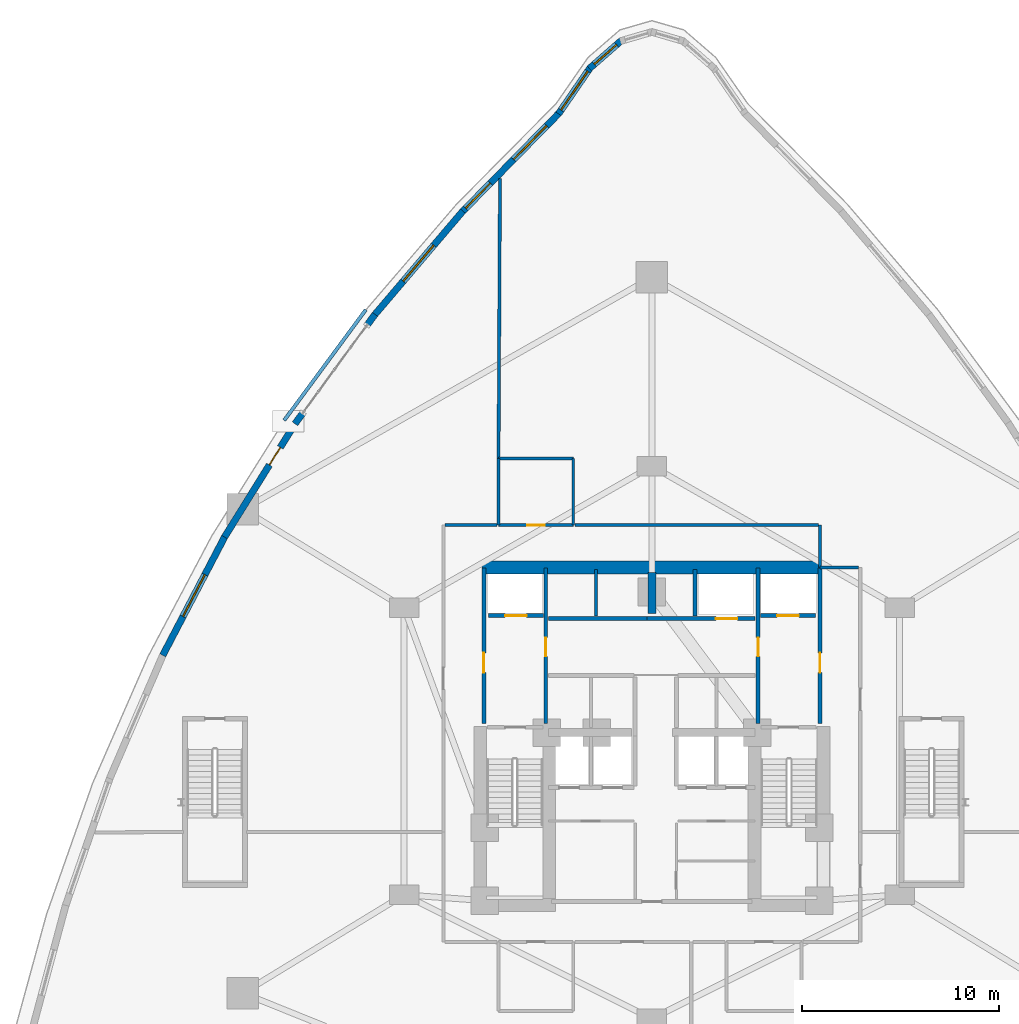
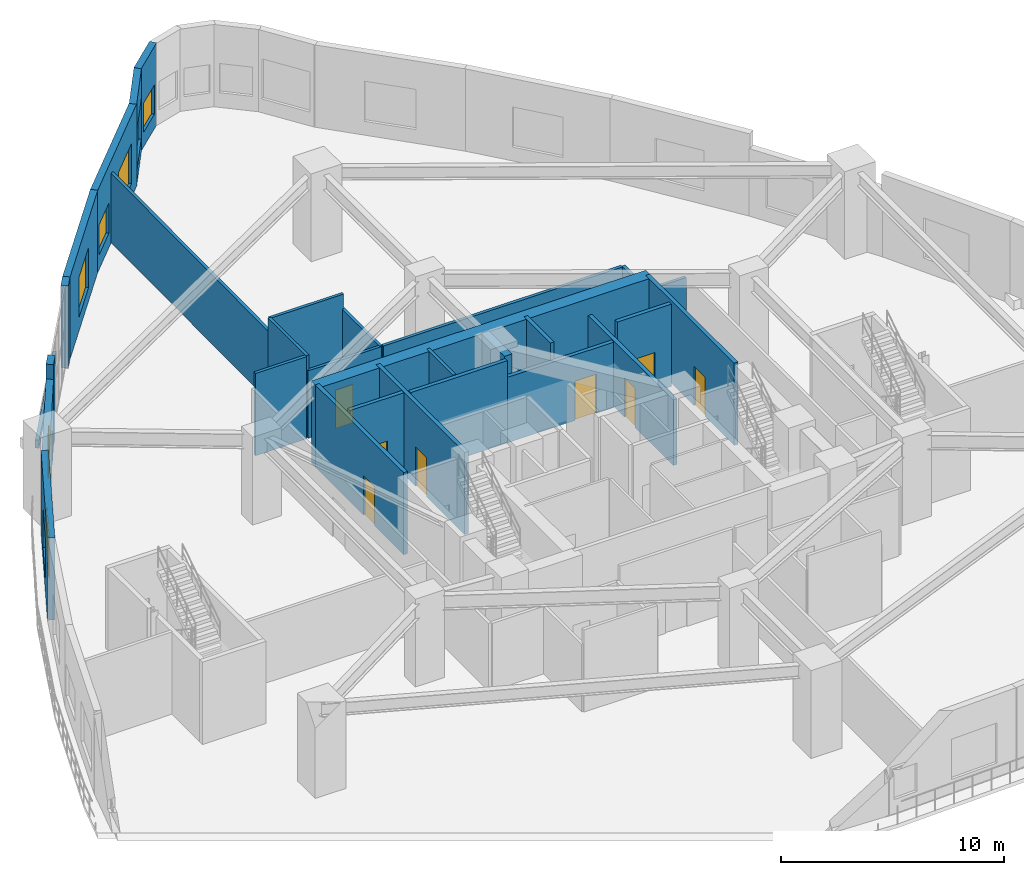
# One storey, part 17 of 23: 30 walls, 9 doors, 6 windows, 15 openings.
"""IFC4 building model written with IfcOpenShell, lengths in metres."""

from ifc_helpers import new_model, si_unit, direction, frame, frame_2d, origin, place, context, subcontext, project, spatial, rectangle, extrude, material, layer, layer_set, type_object, element, fill, save


model = new_model("IFC4")

# Units and contexts
model_context = context("Model", 3, precision=1e-05, world=origin(), true_north=direction((0.0, 1.0)))
body_context = subcontext(model_context, "Body", "Model", "MODEL_VIEW")
ifc_project = project(units=[si_unit("LENGTHUNIT", "METRE"), si_unit("AREAUNIT", "SQUARE_METRE"), si_unit("VOLUMEUNIT", "CUBIC_METRE"), si_unit("PLANEANGLEUNIT", "RADIAN"), si_unit("MASSUNIT", "GRAM", prefix="KILO")], contexts=[model_context])

# Site, building, storey
site_placement = place(None, origin())
site = spatial("IfcSite", under=ifc_project, at=site_placement, CompositionType="ELEMENT")
building_placement = place(site_placement, origin())
building = spatial("IfcBuilding", under=site, at=building_placement, Name="Miruveldt Soraemaru", CompositionType="ELEMENT")
storey_placement = place(building_placement, frame((0.0, 0.0, 14.39990234375)))
storey = spatial("IfcBuildingStorey", under=building, at=storey_placement, Name="L04", CompositionType="ELEMENT", Elevation=14.39990234375)

# Walls
ifc_material_1 = material(Name="Concrete C70/85 (70 MPa)", Category="concrete")
ifc_layer_1 = layer(ifc_material_1, 0.5, Name="Concrete C70/85 (70 MPa)", Category="concrete")
ifc_layer_set_1 = layer_set([ifc_layer_1], Name="Concrete C70/85 (70 MPa)")
wall_type_1 = type_object("IfcWallType", Name="WALL-BW-500", PredefinedType="SHEAR", material=ifc_layer_set_1)
wall_1_placement = place(storey_placement, frame((44.0, 50.10009765625, 0.0), z_axis=(0.0, 0.0, 1.0), x_axis=(0.0, 1.0, 0.0)))
element("IfcWall", 1, at=wall_1_placement, inside=storey, type_object=wall_type_1, Name="L04 Core Buttress Shear Wall BN", PredefinedType="SHEAR", context=body_context, shape_type="SweptSolid", body=[
    extrude(rectangle(XDim=2.099853515625, YDim=0.39990234375, at=frame_2d((1.0498046875, 0.0))), origin(), (0.0, 0.0, 1.0), 4.5),
])
ifc_material_2 = material(Name="Concrete C80/95 (80 MPa)", Category="concrete")
ifc_layer_2 = layer(ifc_material_2, 0.64990234375, Name="Concrete C80/95 (80 MPa)", Category="concrete")
ifc_layer_set_2 = layer_set([ifc_layer_2], Name="Concrete C80/95 (80 MPa)")
wall_type_2 = type_object("IfcWallType", Name="WALL-CW-650", PredefinedType="SHEAR", material=ifc_layer_set_2)
wall_2_placement = place(storey_placement, frame((35.35009765625, 52.449951171875, 0.0), z_axis=(0.0, 0.0, 1.0), x_axis=(1.0, 0.0, 0.0)))
element("IfcWall", 2, at=wall_2_placement, inside=storey, type_object=wall_type_2, Name="L04 Central Core Shear Wall N", PredefinedType="SHEAR", context=body_context, shape_type="SweptSolid", body=[
    extrude(rectangle(XDim=17.2998046875, YDim=0.64990234375, at=frame_2d((8.64990234375, 0.0))), origin(), (0.0, 0.0, 1.0), 4.5),
])

# Wall, opening, window
ifc_material_3 = material(Name="Precast concrete C45/55 (45 MPa)", Category="concrete")
ifc_layer_3 = layer(ifc_material_3, 0.340087890625, Name="Precast concrete C45/55 (45 MPa)", Category="concrete")
ifc_layer_set_3 = layer_set([ifc_layer_3], Name="Precast concrete C45/55 (45 MPa)")
wall_type_3 = type_object("IfcWallType", Name="WALL-EXT-PC340", PredefinedType="SOLIDWALL", material=ifc_layer_set_3)
wall_3_placement = place(storey_placement, frame((42.4501953125, 79.24755859375, 0.0), z_axis=(0.0, 0.0, 1.0), x_axis=(-0.752688498537, -0.658376810171, 0.0)))
wall_3 = element("IfcWall", 3, at=wall_3_placement, inside=storey, type_object=wall_type_3, Name="L04 Precast Concrete Facade Wall 5", PredefinedType="SOLIDWALL", context=body_context, shape_type="SweptSolid", body=[
    extrude(rectangle(XDim=2.1640625, YDim=0.340087890625, at=frame_2d((1.08203125, 0.0))), origin(), (0.0, 0.0, 1.0), 4.5),
])
opening_1_placement = place(wall_3_placement, frame((0.33203125, 0.0, 0.800048828125)))
opening_1 = element("IfcOpeningElement", 4, at=opening_1_placement, cuts=wall_3, Name="Opening WN-3", PredefinedType="OPENING", context=body_context, shape_type="SweptSolid", body=[
    extrude(rectangle(XDim=1.5, YDim=1.60009765625, at=frame_2d((0.75, 0.800048828125))), frame((0.0, 0.18017578125, 0.0), z_axis=(0.0, -1.0, 0.0), x_axis=(1.0, 0.0, 0.0)), (0.0, 0.0, 1.0), 0.360107421875),
])
ifc_material_4 = material(Name="Triple low-e insulated glazing", Category="glass")
window_type_1 = type_object("IfcWindowType", Name="WIN-PUNCH-1500x1600", PartitioningType="SINGLE_PANEL", PredefinedType="WINDOW", material=ifc_material_4)
window_1_placement = place(opening_1_placement, origin())
window_1 = element("IfcWindow", 5, at=window_1_placement, inside=storey, type_object=window_type_1, Name="L04 Punched Triple-Glazed Window 05.1", OverallHeight=1.60009765625, OverallWidth=1.5, PartitioningType="SINGLE_PANEL", PredefinedType="WINDOW", context=body_context, shape_type="SweptSolid", body=[
    extrude(rectangle(XDim=1.5, YDim=1.60009765625, at=frame_2d((0.75, 0.800048828125))), frame((0.0, 0.030029296875, 0.0), z_axis=(0.0, -1.0, 0.0), x_axis=(1.0, 0.0, 0.0)), (0.0, 0.0, 1.0), 0.06005859375),
])
fill(opening_1, window_1)

wall_4_placement = place(storey_placement, frame((40.867431640625, 77.874755859375, 0.0), z_axis=(0.0, 0.0, 1.0), x_axis=(-0.565657910094, -0.824639999484, 0.0)))
wall_4 = element("IfcWall", 6, at=wall_4_placement, inside=storey, type_object=wall_type_3, Name="L04 Precast Concrete Facade Wall 6", PredefinedType="SOLIDWALL", context=body_context, shape_type="SweptSolid", body=[
    extrude(rectangle(XDim=2.8564453125, YDim=0.340087890625, at=frame_2d((1.42822265625, 0.0))), origin(), (0.0, 0.0, 1.0), 4.5),
])
opening_2_placement = place(wall_4_placement, frame((0.22802734375, 0.0, 0.75)))
opening_2 = element("IfcOpeningElement", 7, at=opening_2_placement, cuts=wall_4, Name="Opening WN-5", PredefinedType="OPENING", context=body_context, shape_type="SweptSolid", body=[
    extrude(rectangle(XDim=2.39990234375, YDim=2.199951171875, at=frame_2d((1.199951171875, 1.10009765625))), frame((0.0, 0.18017578125, 0.0), z_axis=(0.0, -1.0, 0.0), x_axis=(1.0, 0.0, 0.0)), (0.0, 0.0, 1.0), 0.360107421875),
])
window_type_2 = type_object("IfcWindowType", Name="WIN-PODM-2400x2200", PartitioningType="SINGLE_PANEL", PredefinedType="WINDOW", material=ifc_material_4)
window_2_placement = place(opening_2_placement, origin())
window_2 = element("IfcWindow", 8, at=window_2_placement, inside=storey, type_object=window_type_2, Name="L04 Punched Triple-Glazed Window 06.1", OverallHeight=2.199951171875, OverallWidth=2.39990234375, PartitioningType="SINGLE_PANEL", PredefinedType="WINDOW", context=body_context, shape_type="SweptSolid", body=[
    extrude(rectangle(XDim=2.39990234375, YDim=2.199951171875, at=frame_2d((1.199951171875, 1.10009765625))), frame((0.0, 0.030029296875, 0.0), z_axis=(0.0, -1.0, 0.0), x_axis=(1.0, 0.0, 0.0)), (0.0, 0.0, 1.0), 0.06005859375),
])
fill(opening_2, window_2)

# Wall, openings, windows
wall_5_placement = place(storey_placement, frame((39.2958984375, 75.572998046875, 0.0), z_axis=(0.0, 0.0, 1.0), x_axis=(-0.700436812806, -0.713714418564, 0.0)))
wall_5 = element("IfcWall", 9, at=wall_5_placement, inside=storey, type_object=wall_type_3, Name="L04 Precast Concrete Facade Wall 7", PredefinedType="SOLIDWALL", context=body_context, shape_type="SweptSolid", body=[
    extrude(rectangle(XDim=7.0791015625, YDim=0.340087890625, at=frame_2d((3.53955078125, 0.0))), origin(), (0.0, 0.0, 1.0), 4.5),
])
opening_3_placement = place(wall_5_placement, frame((0.930908203125, 0.0, 0.75)))
opening_3 = element("IfcOpeningElement", 10, at=opening_3_placement, cuts=wall_5, Name="Opening WN-5", PredefinedType="OPENING", context=body_context, shape_type="SweptSolid", body=[
    extrude(rectangle(XDim=2.39990234375, YDim=2.199951171875, at=frame_2d((1.199951171875, 1.10009765625))), frame((0.0, 0.18017578125, 0.0), z_axis=(0.0, -1.0, 0.0), x_axis=(1.0, 0.0, 0.0)), (0.0, 0.0, 1.0), 0.360107421875),
])
opening_4_placement = place(wall_5_placement, frame((5.010009765625, 0.0, 0.800048828125)))
opening_4 = element("IfcOpeningElement", 11, at=opening_4_placement, cuts=wall_5, Name="Opening WN-2", PredefinedType="OPENING", context=body_context, shape_type="SweptSolid", body=[
    extrude(rectangle(XDim=1.800048828125, YDim=1.64990234375, at=frame_2d((0.89990234375, 0.824951171875))), frame((0.0, 0.18017578125, 0.0), z_axis=(0.0, -1.0, 0.0), x_axis=(1.0, 0.0, 0.0)), (0.0, 0.0, 1.0), 0.360107421875),
])
window_3_placement = place(opening_3_placement, origin())
window_3 = element("IfcWindow", 12, at=window_3_placement, inside=storey, type_object=window_type_2, Name="L04 Punched Triple-Glazed Window 07.1", OverallHeight=2.199951171875, OverallWidth=2.39990234375, PartitioningType="SINGLE_PANEL", PredefinedType="WINDOW", context=body_context, shape_type="SweptSolid", body=[
    extrude(rectangle(XDim=2.39990234375, YDim=2.199951171875, at=frame_2d((1.199951171875, 1.10009765625))), frame((0.0, 0.030029296875, 0.0), z_axis=(0.0, -1.0, 0.0), x_axis=(1.0, 0.0, 0.0)), (0.0, 0.0, 1.0), 0.06005859375),
])
fill(opening_3, window_3)
window_type_3 = type_object("IfcWindowType", Name="WIN-PUNCH-1800x1650", PartitioningType="SINGLE_PANEL", PredefinedType="WINDOW", material=ifc_material_4)
window_4_placement = place(opening_4_placement, origin())
window_4 = element("IfcWindow", 13, at=window_4_placement, inside=storey, type_object=window_type_3, Name="L04 Punched Triple-Glazed Window 07.2", OverallHeight=1.64990234375, OverallWidth=1.800048828125, PartitioningType="SINGLE_PANEL", PredefinedType="WINDOW", context=body_context, shape_type="SweptSolid", body=[
    extrude(rectangle(XDim=1.800048828125, YDim=1.64990234375, at=frame_2d((0.89990234375, 0.824951171875))), frame((0.0, 0.030029296875, 0.0), z_axis=(0.0, -1.0, 0.0), x_axis=(1.0, 0.0, 0.0)), (0.0, 0.0, 1.0), 0.06005859375),
])
fill(opening_4, window_4)

# Wall, opening, window
wall_6_placement = place(storey_placement, frame((34.384765625, 70.572265625, 0.0), z_axis=(0.0, 0.0, 1.0), x_axis=(-0.6477796117, -0.761827785439, 0.0)))
wall_6 = element("IfcWall", 14, at=wall_6_placement, inside=storey, type_object=wall_type_3, Name="L04 Precast Concrete Facade Wall 8", PredefinedType="SOLIDWALL", context=body_context, shape_type="SweptSolid", body=[
    extrude(rectangle(XDim=6.968017578125, YDim=0.340087890625, at=frame_2d((3.48388671875, 0.0))), origin(), (0.0, 0.0, 1.0), 4.5),
])
opening_5_placement = place(wall_6_placement, frame((2.283935546875, 0.0, 0.75)))
opening_5 = element("IfcOpeningElement", 15, at=opening_5_placement, cuts=wall_6, Name="Opening WN-5", PredefinedType="OPENING", context=body_context, shape_type="SweptSolid", body=[
    extrude(rectangle(XDim=2.39990234375, YDim=2.199951171875, at=frame_2d((1.199951171875, 1.10009765625))), frame((0.0, 0.18017578125, 0.0), z_axis=(0.0, -1.0, 0.0), x_axis=(1.0, 0.0, 0.0)), (0.0, 0.0, 1.0), 0.360107421875),
])
window_5_placement = place(opening_5_placement, origin())
window_5 = element("IfcWindow", 16, at=window_5_placement, inside=storey, type_object=window_type_2, Name="L04 Punched Triple-Glazed Window 08.1", OverallHeight=2.199951171875, OverallWidth=2.39990234375, PartitioningType="SINGLE_PANEL", PredefinedType="WINDOW", context=body_context, shape_type="SweptSolid", body=[
    extrude(rectangle(XDim=2.39990234375, YDim=2.199951171875, at=frame_2d((1.199951171875, 1.10009765625))), frame((0.0, 0.030029296875, 0.0), z_axis=(0.0, -1.0, 0.0), x_axis=(1.0, 0.0, 0.0)), (0.0, 0.0, 1.0), 0.06005859375),
])
fill(opening_5, window_5)

# Walls
wall_7_placement = place(storey_placement, frame((29.91455078125, 65.31884765625, 0.0), z_axis=(0.0, 0.0, 1.0), x_axis=(-0.590146831247, -0.807295929365, 0.0)))
element("IfcWall", 17, at=wall_7_placement, inside=storey, type_object=wall_type_3, Name="L04 Precast Pier Left 9", PredefinedType="SOLIDWALL", context=body_context, shape_type="SweptSolid", body=[
    extrude(rectangle(XDim=0.704833984375, YDim=0.340087890625, at=frame_2d((0.3525390625, 0.0))), origin(), (0.0, 0.0, 1.0), 4.5),
])
wall_8_placement = place(storey_placement, frame((26.262939453125, 60.324462890625, 0.0), z_axis=(0.0, 0.0, 1.0), x_axis=(-0.590268133047, -0.807207241735, 0.0)))
element("IfcWall", 18, at=wall_8_placement, inside=storey, type_object=wall_type_3, Name="L04 Precast Pier Right 9", PredefinedType="SOLIDWALL", context=body_context, shape_type="SweptSolid", body=[
    extrude(rectangle(XDim=0.70556640625, YDim=0.340087890625, at=frame_2d((0.352783203125, 0.0))), origin(), (0.0, 0.0, 1.0), 4.5),
])

# Wall, opening, door
wall_9_placement = place(storey_placement, frame((25.8857421875, 59.81298828125, 0.0), z_axis=(0.0, 0.0, 1.0), x_axis=(-0.528464497626, -0.848955402097, 0.0)))
wall_9 = element("IfcWall", 19, at=wall_9_placement, inside=storey, type_object=wall_type_3, Name="L04 Precast Concrete Facade Wall 10", PredefinedType="SOLIDWALL", context=body_context, shape_type="SweptSolid", body=[
    extrude(rectangle(XDim=6.8544921875, YDim=0.340087890625, at=frame_2d((3.42724609375, 0.0))), origin(), (0.0, 0.0, 1.0), 3.68798828125),
])
opening_6_placement = place(wall_9_placement, frame((1.48291015625, 0.0, 0.0)))
opening_6 = element("IfcOpeningElement", 20, at=opening_6_placement, cuts=wall_9, Name="Opening TD-1", PredefinedType="OPENING", context=body_context, shape_type="SweptSolid", body=[
    extrude(rectangle(XDim=1.050048828125, YDim=2.14990234375, at=frame_2d((0.52490234375, 1.074951171875))), frame((0.0, 0.18017578125, 0.0), z_axis=(0.0, -1.0, 0.0), x_axis=(1.0, 0.0, 0.0)), (0.0, 0.0, 1.0), 0.360107421875),
])
ifc_material_5 = material(Name="Anodised aluminium EN AW-6063 T6", Category="aluminium")
door_type_1 = type_object("IfcDoorType", Name="DOOR-TER-1050", OperationType="NOTDEFINED", PredefinedType="DOOR", material=ifc_material_5)
door_1_placement = place(opening_6_placement, frame((1.050048828125, 0.0, 0.0), z_axis=(0.0, 0.0, 1.0), x_axis=(-1.0, 0.0, 0.0)))
door_1 = element("IfcDoor", 21, at=door_1_placement, inside=storey, type_object=door_type_1, Name="L04 Terrace Access Glazed Door 10", OperationType="SINGLE_SWING_RIGHT", OverallHeight=2.14990234375, OverallWidth=1.050048828125, PredefinedType="DOOR", context=body_context, shape_type="SweptSolid", body=[
    extrude(rectangle(XDim=1.050048828125, YDim=2.14990234375, at=frame_2d((0.52490234375, 1.074951171875))), frame((0.0, 0.02490234375, 0.0), z_axis=(0.0, -1.0, 0.0), x_axis=(1.0, 0.0, 0.0)), (0.0, 0.0, 1.0), 0.050048828125),
])
fill(opening_6, door_1)

# Wall, opening, window
wall_10_placement = place(storey_placement, frame((22.298095703125, 54.0546875, 0.0), z_axis=(0.0, 0.0, 1.0), x_axis=(-0.463368013034, -0.886165946365, 0.0)))
wall_10 = element("IfcWall", 22, at=wall_10_placement, inside=storey, type_object=wall_type_3, Name="L04 Precast Concrete Facade Wall 11", PredefinedType="SOLIDWALL", context=body_context, shape_type="SweptSolid", body=[
    extrude(rectangle(XDim=6.854248046875, YDim=0.340087890625, at=frame_2d((3.42724609375, 0.0))), origin(), (0.0, 0.0, 1.0), 4.5),
])
opening_7_placement = place(wall_10_placement, frame((2.22705078125, 0.0, 0.75)))
opening_7 = element("IfcOpeningElement", 23, at=opening_7_placement, cuts=wall_10, Name="Opening WN-5", PredefinedType="OPENING", context=body_context, shape_type="SweptSolid", body=[
    extrude(rectangle(XDim=2.39990234375, YDim=2.199951171875, at=frame_2d((1.199951171875, 1.10009765625))), frame((0.0, 0.18017578125, 0.0), z_axis=(0.0, -1.0, 0.0), x_axis=(1.0, 0.0, 0.0)), (0.0, 0.0, 1.0), 0.360107421875),
])
window_6_placement = place(opening_7_placement, origin())
window_6 = element("IfcWindow", 24, at=window_6_placement, inside=storey, type_object=window_type_2, Name="L04 Punched Triple-Glazed Window 11.1", OverallHeight=2.199951171875, OverallWidth=2.39990234375, PartitioningType="SINGLE_PANEL", PredefinedType="WINDOW", context=body_context, shape_type="SweptSolid", body=[
    extrude(rectangle(XDim=2.39990234375, YDim=2.199951171875, at=frame_2d((1.199951171875, 1.10009765625))), frame((0.0, 0.030029296875, 0.0), z_axis=(0.0, -1.0, 0.0), x_axis=(1.0, 0.0, 0.0)), (0.0, 0.0, 1.0), 0.06005859375),
])
fill(opening_7, window_6)

# Wall, opening, door
ifc_material_6 = material(Name="Gypsum plasterboard lining", Category="gypsum")
ifc_layer_4 = layer(ifc_material_6, 0.14990234375, Name="Gypsum plasterboard lining", Category="gypsum")
ifc_layer_set_4 = layer_set([ifc_layer_4], Name="Gypsum plasterboard lining")
wall_type_4 = type_object("IfcWallType", Name="WALL-INT-PLUMB", PredefinedType="PLUMBINGWALL", material=ifc_layer_set_4)
wall_11_placement = place(storey_placement, frame((40.0, 54.60009765625, 0.0), z_axis=(0.0, 0.0, 1.0), x_axis=(-1.0, 0.0, 0.0)))
wall_11 = element("IfcWall", 25, at=wall_11_placement, inside=storey, type_object=wall_type_4, Name="L04 Partition Wall 1", PredefinedType="PLUMBINGWALL", context=body_context, shape_type="SweptSolid", body=[
    extrude(rectangle(XDim=3.800048828125, YDim=0.14990234375, at=frame_2d((1.89990234375, 0.0))), origin(), (0.0, 0.0, 1.0), 3.68798828125),
])
opening_8_placement = place(wall_11_placement, frame((1.449951171875, 0.0, 0.0)))
opening_8 = element("IfcOpeningElement", 26, at=opening_8_placement, cuts=wall_11, Name="Opening D3", PredefinedType="OPENING", context=body_context, shape_type="SweptSolid", body=[
    extrude(rectangle(XDim=0.89990234375, YDim=2.10009765625, at=frame_2d((0.449951171875, 1.050048828125))), frame((0.0, 0.0849609375, 0.0), z_axis=(0.0, -1.0, 0.0), x_axis=(1.0, 0.0, 0.0)), (0.0, 0.0, 1.0), 0.169921875),
])
door_type_2 = type_object("IfcDoorType", Name="DOOR-INT-900", OperationType="NOTDEFINED", PredefinedType="DOOR", material=ifc_material_5)
door_2_placement = place(opening_8_placement, origin())
door_2 = element("IfcDoor", 27, at=door_2_placement, inside=storey, type_object=door_type_2, Name="L04 Public Male Restroom Door", OperationType="SINGLE_SWING_RIGHT", OverallHeight=2.10009765625, OverallWidth=0.89990234375, PredefinedType="DOOR", context=body_context, shape_type="SweptSolid", body=[
    extrude(rectangle(XDim=0.89990234375, YDim=2.10009765625, at=frame_2d((0.449951171875, 1.050048828125))), frame((0.0, 0.02490234375, 0.0), z_axis=(0.0, -1.0, 0.0), x_axis=(1.0, 0.0, 0.0)), (0.0, 0.0, 1.0), 0.050048828125),
])
fill(opening_8, door_2)

# Walls
wall_12_placement = place(storey_placement, frame((40.0, 58.0, 0.0), z_axis=(0.0, 0.0, 1.0), x_axis=(-1.0, 0.0, 0.0)))
element("IfcWall", 28, at=wall_12_placement, inside=storey, type_object=wall_type_4, Name="L04 Partition Wall 18", PredefinedType="PLUMBINGWALL", context=body_context, shape_type="SweptSolid", body=[
    extrude(rectangle(XDim=3.800048828125, YDim=0.14990234375, at=frame_2d((1.89990234375, 0.0))), origin(), (0.0, 0.0, 1.0), 4.5),
])
wall_13_placement = place(storey_placement, frame((36.199951171875, 58.0, 0.0), z_axis=(0.0, 0.0, 1.0), x_axis=(0.0, -1.0, 0.0)))
element("IfcWall", 29, at=wall_13_placement, inside=storey, type_object=wall_type_4, Name="L04 Partition Wall 16", PredefinedType="PLUMBINGWALL", context=body_context, shape_type="SweptSolid", body=[
    extrude(rectangle(XDim=3.39990234375, YDim=0.14990234375, at=frame_2d((1.699951171875, 0.0))), origin(), (0.0, 0.0, 1.0), 4.5),
])
wall_14_placement = place(storey_placement, frame((40.0, 54.60009765625, 0.0), z_axis=(0.0, 0.0, 1.0), x_axis=(0.0, 1.0, 0.0)))
element("IfcWall", 30, at=wall_14_placement, inside=storey, type_object=wall_type_4, Name="L04 Partition Wall 17", PredefinedType="PLUMBINGWALL", context=body_context, shape_type="SweptSolid", body=[
    extrude(rectangle(XDim=3.39990234375, YDim=0.14990234375, at=frame_2d((1.699951171875, 0.0))), origin(), (0.0, 0.0, 1.0), 3.68798828125),
])
ifc_material_7 = material(Name="Concrete C40/50 (40 MPa)", Category="concrete")
ifc_layer_5 = layer(ifc_material_7, 0.159912109375, Name="Concrete C40/50 (40 MPa)", Category="concrete")
ifc_layer_set_5 = layer_set([ifc_layer_5], Name="Concrete C40/50 (40 MPa)")
wall_type_5 = type_object("IfcWallType", Name="WALL-INT-RC160", PredefinedType="SOLIDWALL", material=ifc_layer_set_5)
wall_15_placement = place(storey_placement, frame((36.199951171875, 58.0, 0.0), z_axis=(0.0, 0.0, 1.0), x_axis=(0.005266696555, 0.999986130858, 0.0)))
element("IfcWall", 31, at=wall_15_placement, inside=storey, type_object=wall_type_5, Name="L04 Partition Wall 30", PredefinedType="SOLIDWALL", context=body_context, shape_type="SweptSolid", body=[
    extrude(rectangle(XDim=14.231201171875, YDim=0.159912109375, at=frame_2d((7.11572265625, 0.0))), origin(), (0.0, 0.0, 1.0), 3.7880859375),
])
wall_16_placement = place(storey_placement, frame((52.469970703125, 54.60009765625, 0.0), z_axis=(0.0, 0.0, 1.0), x_axis=(-1.0, 0.0, 0.0)))
element("IfcWall", 32, at=wall_16_placement, inside=storey, type_object=wall_type_5, Name="L04 Partition Wall 15", PredefinedType="SOLIDWALL", context=body_context, shape_type="SweptSolid", body=[
    extrude(rectangle(XDim=12.389892578125, YDim=0.159912109375, at=frame_2d((6.19482421875, 0.0))), origin(), (0.0, 0.0, 1.0), 3.68798828125),
])
wall_17_placement = place(storey_placement, frame((36.1201171875, 54.60009765625, 0.0), z_axis=(0.0, 0.0, 1.0), x_axis=(-1.0, 0.0, 0.0)))
element("IfcWall", 33, at=wall_17_placement, inside=storey, type_object=wall_type_5, Name="L04 Partition Wall 10", PredefinedType="SOLIDWALL", context=body_context, shape_type="SweptSolid", body=[
    extrude(rectangle(XDim=2.64013671875, YDim=0.159912109375, at=frame_2d((1.320068359375, 0.0))), origin(), (0.0, 0.0, 1.0), 4.5),
])
wall_18_placement = place(storey_placement, frame((41.14990234375, 49.97998046875, 0.0), z_axis=(0.0, 0.0, 1.0), x_axis=(0.0, 1.0, 0.0)))
element("IfcWall", 34, at=wall_18_placement, inside=storey, type_object=wall_type_5, Name="L04 Core Compartment Wall PLH-DIV1", PredefinedType="SOLIDWALL", context=body_context, shape_type="SweptSolid", body=[
    extrude(rectangle(XDim=2.3701171875, YDim=0.159912109375, at=frame_2d((1.18505859375, 0.0))), origin(), (0.0, 0.0, 1.0), 4.5),
])
wall_19_placement = place(storey_placement, frame((52.550048828125, 52.449951171875, 0.0), z_axis=(0.0, 0.0, 1.0), x_axis=(0.0, 1.0, 0.0)))
element("IfcWall", 35, at=wall_19_placement, inside=storey, type_object=wall_type_5, Name="L04 Partition Wall 14", PredefinedType="SOLIDWALL", context=body_context, shape_type="SweptSolid", body=[
    extrude(rectangle(XDim=2.150146484375, YDim=0.159912109375, at=frame_2d((1.0751953125, 0.0))), origin(), (0.0, 0.0, 1.0), 3.68798828125),
])
wall_20_placement = place(storey_placement, frame((54.52001953125, 52.449951171875, 0.0), z_axis=(0.0, 0.0, 1.0), x_axis=(-1.0, 0.0, 0.0)))
element("IfcWall", 36, at=wall_20_placement, inside=storey, type_object=wall_type_5, Name="L04 Partition Wall 13", PredefinedType="SOLIDWALL", context=body_context, shape_type="SweptSolid", body=[
    extrude(rectangle(XDim=1.969970703125, YDim=0.159912109375, at=frame_2d((0.98486328125, 0.0))), origin(), (0.0, 0.0, 1.0), 3.68798828125),
])

# Wall, opening, door
ifc_layer_6 = layer(ifc_material_7, 0.199951171875, Name="Concrete C40/50 (40 MPa)", Category="concrete")
ifc_layer_set_6 = layer_set([ifc_layer_6], Name="Concrete C40/50 (40 MPa)")
wall_type_6 = type_object("IfcWallType", Name="WALL-INT-RC200", PredefinedType="SOLIDWALL", material=ifc_layer_set_6)
wall_21_placement = place(storey_placement, frame((35.449951171875, 44.5, 0.0), z_axis=(0.0, 0.0, 1.0), x_axis=(0.0, 1.0, 0.0)))
wall_21 = element("IfcWall", 37, at=wall_21_placement, inside=storey, type_object=wall_type_6, Name="L04 Core Compartment Wall FFW-OUT", PredefinedType="SOLIDWALL", context=body_context, shape_type="SweptSolid", body=[
    extrude(rectangle(XDim=7.919921875, YDim=0.199951171875, at=frame_2d((3.9599609375, 0.0))), origin(), (0.0, 0.0, 1.0), 4.5),
])
opening_9_placement = place(wall_21_placement, frame((2.60009765625, 0.0, 0.0)))
opening_9 = element("IfcOpeningElement", 38, at=opening_9_placement, cuts=wall_21, Name="Opening FD1", PredefinedType="OPENING", context=body_context, shape_type="SweptSolid", body=[
    extrude(rectangle(XDim=1.0, YDim=2.14990234375, at=frame_2d((0.5, 1.074951171875))), frame((0.0, 0.10986328125, 0.0), z_axis=(0.0, -1.0, 0.0), x_axis=(1.0, 0.0, 0.0)), (0.0, 0.0, 1.0), 0.219970703125),
])
door_type_3 = type_object("IfcDoorType", Name="DOOR-FD1-1000", OperationType="NOTDEFINED", PredefinedType="DOOR", material=ifc_material_5)
door_3_placement = place(opening_9_placement, origin())
door_3 = element("IfcDoor", 39, at=door_3_placement, inside=storey, type_object=door_type_3, Name="L04 West Firefighting Lobby Exit Door", OperationType="SINGLE_SWING_LEFT", OverallHeight=2.14990234375, OverallWidth=1.0, PredefinedType="DOOR", context=body_context, shape_type="SweptSolid", body=[
    extrude(rectangle(XDim=1.0, YDim=2.14990234375, at=frame_2d((0.5, 1.074951171875))), frame((0.0, 0.02490234375, 0.0), z_axis=(0.0, -1.0, 0.0), x_axis=(1.0, 0.0, 0.0)), (0.0, 0.0, 1.0), 0.050048828125),
])
fill(opening_9, door_3)

wall_22_placement = place(storey_placement, frame((52.550048828125, 44.5, 0.0), z_axis=(0.0, 0.0, 1.0), x_axis=(0.0, 1.0, 0.0)))
wall_22 = element("IfcWall", 40, at=wall_22_placement, inside=storey, type_object=wall_type_6, Name="L04 Core Compartment Wall FFE-OUT", PredefinedType="SOLIDWALL", context=body_context, shape_type="SweptSolid", body=[
    extrude(rectangle(XDim=7.919921875, YDim=0.199951171875, at=frame_2d((3.9599609375, 0.0))), origin(), (0.0, 0.0, 1.0), 4.5),
])
opening_10_placement = place(wall_22_placement, frame((2.60009765625, 0.0, 0.0)))
opening_10 = element("IfcOpeningElement", 41, at=opening_10_placement, cuts=wall_22, Name="Opening FD1", PredefinedType="OPENING", context=body_context, shape_type="SweptSolid", body=[
    extrude(rectangle(XDim=1.0, YDim=2.14990234375, at=frame_2d((0.5, 1.074951171875))), frame((0.0, 0.10986328125, 0.0), z_axis=(0.0, -1.0, 0.0), x_axis=(1.0, 0.0, 0.0)), (0.0, 0.0, 1.0), 0.219970703125),
])
door_4_placement = place(opening_10_placement, frame((1.0, 0.0, 0.0), z_axis=(0.0, 0.0, 1.0), x_axis=(-1.0, 0.0, 0.0)))
door_4 = element("IfcDoor", 42, at=door_4_placement, inside=storey, type_object=door_type_3, Name="L04 East Firefighting Lobby Exit Door", OperationType="SINGLE_SWING_RIGHT", OverallHeight=2.14990234375, OverallWidth=1.0, PredefinedType="DOOR", context=body_context, shape_type="SweptSolid", body=[
    extrude(rectangle(XDim=1.0, YDim=2.14990234375, at=frame_2d((0.5, 1.074951171875))), frame((0.0, 0.02490234375, 0.0), z_axis=(0.0, -1.0, 0.0), x_axis=(1.0, 0.0, 0.0)), (0.0, 0.0, 1.0), 0.050048828125),
])
fill(opening_10, door_4)

wall_23_placement = place(storey_placement, frame((38.60009765625, 44.5, 0.0), z_axis=(0.0, 0.0, 1.0), x_axis=(0.0, 1.0, 0.0)))
wall_23 = element("IfcWall", 43, at=wall_23_placement, inside=storey, type_object=wall_type_6, Name="L04 Core Compartment Wall FFW-IN", PredefinedType="SOLIDWALL", context=body_context, shape_type="SweptSolid", body=[
    extrude(rectangle(XDim=7.919921875, YDim=0.199951171875, at=frame_2d((3.9599609375, 0.0))), origin(), (0.0, 0.0, 1.0), 4.5),
])
opening_11_placement = place(wall_23_placement, frame((3.425048828125, 0.0, 0.0)))
opening_11 = element("IfcOpeningElement", 44, at=opening_11_placement, cuts=wall_23, Name="Opening FD2", PredefinedType="OPENING", context=body_context, shape_type="SweptSolid", body=[
    extrude(rectangle(XDim=0.949951171875, YDim=2.14990234375, at=frame_2d((0.47509765625, 1.074951171875))), frame((0.0, 0.10986328125, 0.0), z_axis=(0.0, -1.0, 0.0), x_axis=(1.0, 0.0, 0.0)), (0.0, 0.0, 1.0), 0.219970703125),
])
door_type_4 = type_object("IfcDoorType", Name="DOOR-FD2-950", OperationType="NOTDEFINED", PredefinedType="DOOR", material=ifc_material_5)
door_5_placement = place(opening_11_placement, frame((0.949951171875, 0.0, 0.0), z_axis=(0.0, 0.0, 1.0), x_axis=(-1.0, 0.0, 0.0)))
door_5 = element("IfcDoor", 45, at=door_5_placement, inside=storey, type_object=door_type_4, Name="L04 Lift Lobby to West Fire Lobby Door", OperationType="SINGLE_SWING_RIGHT", OverallHeight=2.14990234375, OverallWidth=0.949951171875, PredefinedType="DOOR", context=body_context, shape_type="SweptSolid", body=[
    extrude(rectangle(XDim=0.949951171875, YDim=2.14990234375, at=frame_2d((0.47509765625, 1.074951171875))), frame((0.0, 0.02490234375, 0.0), z_axis=(0.0, -1.0, 0.0), x_axis=(1.0, 0.0, 0.0)), (0.0, 0.0, 1.0), 0.050048828125),
])
fill(opening_11, door_5)

wall_24_placement = place(storey_placement, frame((49.39990234375, 44.5, 0.0), z_axis=(0.0, 0.0, 1.0), x_axis=(0.0, 1.0, 0.0)))
wall_24 = element("IfcWall", 46, at=wall_24_placement, inside=storey, type_object=wall_type_6, Name="L04 Core Compartment Wall FFE-IN", PredefinedType="SOLIDWALL", context=body_context, shape_type="SweptSolid", body=[
    extrude(rectangle(XDim=7.919921875, YDim=0.199951171875, at=frame_2d((3.9599609375, 0.0))), origin(), (0.0, 0.0, 1.0), 3.588134765625),
])
opening_12_placement = place(wall_24_placement, frame((3.425048828125, 0.0, 0.0)))
opening_12 = element("IfcOpeningElement", 47, at=opening_12_placement, cuts=wall_24, Name="Opening FD2", PredefinedType="OPENING", context=body_context, shape_type="SweptSolid", body=[
    extrude(rectangle(XDim=0.949951171875, YDim=2.14990234375, at=frame_2d((0.47509765625, 1.074951171875))), frame((0.0, 0.10986328125, 0.0), z_axis=(0.0, -1.0, 0.0), x_axis=(1.0, 0.0, 0.0)), (0.0, 0.0, 1.0), 0.219970703125),
])
door_6_placement = place(opening_12_placement, origin())
door_6 = element("IfcDoor", 48, at=door_6_placement, inside=storey, type_object=door_type_4, Name="L04 Lift Lobby to East Fire Lobby Door", OperationType="SINGLE_SWING_LEFT", OverallHeight=2.14990234375, OverallWidth=0.949951171875, PredefinedType="DOOR", context=body_context, shape_type="SweptSolid", body=[
    extrude(rectangle(XDim=0.949951171875, YDim=2.14990234375, at=frame_2d((0.47509765625, 1.074951171875))), frame((0.0, 0.02490234375, 0.0), z_axis=(0.0, -1.0, 0.0), x_axis=(1.0, 0.0, 0.0)), (0.0, 0.0, 1.0), 0.050048828125),
])
fill(opening_12, door_6)

wall_25_placement = place(storey_placement, frame((43.75, 49.85009765625, 0.0), z_axis=(0.0, 0.0, 1.0), x_axis=(1.0, 0.0, 0.0)))
wall_25 = element("IfcWall", 49, at=wall_25_placement, inside=storey, type_object=wall_type_6, Name="L04 Core Compartment Wall ROWA-SE", PredefinedType="SOLIDWALL", context=body_context, shape_type="SweptSolid", body=[
    extrude(rectangle(XDim=5.5, YDim=0.199951171875, at=frame_2d((2.75, 0.0))), origin(), (0.0, 0.0, 1.0), 3.588134765625),
])
opening_13_placement = place(wall_25_placement, frame((3.5, 0.0, 0.0)))
opening_13 = element("IfcOpeningElement", 50, at=opening_13_placement, cuts=wall_25, Name="Opening LD2", PredefinedType="OPENING", context=body_context, shape_type="SweptSolid", body=[
    extrude(rectangle(XDim=1.10009765625, YDim=2.14990234375, at=frame_2d((0.550048828125, 1.074951171875))), frame((0.0, 0.10986328125, 0.0), z_axis=(0.0, -1.0, 0.0), x_axis=(1.0, 0.0, 0.0)), (0.0, 0.0, 1.0), 0.219970703125),
])
door_type_5 = type_object("IfcDoorType", Name="DOOR-LD2-1100", OperationType="SLIDING_TO_LEFT", PredefinedType="DOOR", material=ifc_material_5)
door_7_placement = place(opening_13_placement, origin())
door_7 = element("IfcDoor", 51, at=door_7_placement, inside=storey, type_object=door_type_5, Name="L04 SL-1 Landing Door", OperationType="SLIDING_TO_LEFT", OverallHeight=2.14990234375, OverallWidth=1.10009765625, PredefinedType="DOOR", context=body_context, shape_type="SweptSolid", body=[
    extrude(rectangle(XDim=1.10009765625, YDim=2.14990234375, at=frame_2d((0.550048828125, 1.074951171875))), frame((0.0, 0.02490234375, 0.0), z_axis=(0.0, -1.0, 0.0), x_axis=(1.0, 0.0, 0.0)), (0.0, 0.0, 1.0), 0.050048828125),
])
fill(opening_13, door_7)

wall_26_placement = place(storey_placement, frame((35.679931640625, 50.0, 0.0), z_axis=(0.0, 0.0, 1.0), x_axis=(1.0, 0.0, 0.0)))
wall_26 = element("IfcWall", 52, at=wall_26_placement, inside=storey, type_object=wall_type_6, Name="L04 Core Compartment Wall FFL1-S", PredefinedType="SOLIDWALL", context=body_context, shape_type="SweptSolid", body=[
    extrude(rectangle(XDim=2.800048828125, YDim=0.199951171875, at=frame_2d((1.39990234375, 0.0))), origin(), (0.0, 0.0, 1.0), 4.5),
])
opening_14_placement = place(wall_26_placement, frame((0.85009765625, 0.0, 0.0)))
opening_14 = element("IfcOpeningElement", 53, at=opening_14_placement, cuts=wall_26, Name="Opening LD2", PredefinedType="OPENING", context=body_context, shape_type="SweptSolid", body=[
    extrude(rectangle(XDim=1.10009765625, YDim=2.14990234375, at=frame_2d((0.550048828125, 1.074951171875))), frame((0.0, 0.10986328125, 0.0), z_axis=(0.0, -1.0, 0.0), x_axis=(1.0, 0.0, 0.0)), (0.0, 0.0, 1.0), 0.219970703125),
])
door_8_placement = place(opening_14_placement, origin())
door_8 = element("IfcDoor", 54, at=door_8_placement, inside=storey, type_object=door_type_5, Name="L04 FFL-1 Landing Door", OperationType="SLIDING_TO_LEFT", OverallHeight=2.14990234375, OverallWidth=1.10009765625, PredefinedType="DOOR", context=body_context, shape_type="SweptSolid", body=[
    extrude(rectangle(XDim=1.10009765625, YDim=2.14990234375, at=frame_2d((0.550048828125, 1.074951171875))), frame((0.0, 0.02490234375, 0.0), z_axis=(0.0, -1.0, 0.0), x_axis=(1.0, 0.0, 0.0)), (0.0, 0.0, 1.0), 0.050048828125),
])
fill(opening_14, door_8)

wall_27_placement = place(storey_placement, frame((49.52001953125, 50.0, 0.0), z_axis=(0.0, 0.0, 1.0), x_axis=(1.0, 0.0, 0.0)))
wall_27 = element("IfcWall", 55, at=wall_27_placement, inside=storey, type_object=wall_type_6, Name="L04 Core Compartment Wall FFL2-S", PredefinedType="SOLIDWALL", context=body_context, shape_type="SweptSolid", body=[
    extrude(rectangle(XDim=2.800048828125, YDim=0.199951171875, at=frame_2d((1.39990234375, 0.0))), origin(), (0.0, 0.0, 1.0), 4.5),
])
opening_15_placement = place(wall_27_placement, frame((0.85009765625, 0.0, 0.0)))
opening_15 = element("IfcOpeningElement", 56, at=opening_15_placement, cuts=wall_27, Name="Opening LD2", PredefinedType="OPENING", context=body_context, shape_type="SweptSolid", body=[
    extrude(rectangle(XDim=1.10009765625, YDim=2.14990234375, at=frame_2d((0.550048828125, 1.074951171875))), frame((0.0, 0.10986328125, 0.0), z_axis=(0.0, -1.0, 0.0), x_axis=(1.0, 0.0, 0.0)), (0.0, 0.0, 1.0), 0.219970703125),
])
door_9_placement = place(opening_15_placement, origin())
door_9 = element("IfcDoor", 57, at=door_9_placement, inside=storey, type_object=door_type_5, Name="L04 FFL-2 Landing Door", OperationType="SLIDING_TO_LEFT", OverallHeight=2.14990234375, OverallWidth=1.10009765625, PredefinedType="DOOR", context=body_context, shape_type="SweptSolid", body=[
    extrude(rectangle(XDim=1.10009765625, YDim=2.14990234375, at=frame_2d((0.550048828125, 1.074951171875))), frame((0.0, 0.02490234375, 0.0), z_axis=(0.0, -1.0, 0.0), x_axis=(1.0, 0.0, 0.0)), (0.0, 0.0, 1.0), 0.050048828125),
])
fill(opening_15, door_9)

# Walls
wall_28_placement = place(storey_placement, frame((38.75, 49.85009765625, 0.0), z_axis=(0.0, 0.0, 1.0), x_axis=(1.0, 0.0, 0.0)))
element("IfcWall", 58, at=wall_28_placement, inside=storey, type_object=wall_type_6, Name="L04 Core Compartment Wall ROWA-SW", PredefinedType="SOLIDWALL", context=body_context, shape_type="SweptSolid", body=[
    extrude(rectangle(XDim=5.0, YDim=0.199951171875, at=frame_2d((2.5, 0.0))), origin(), (0.0, 0.0, 1.0), 4.5),
])
wall_29_placement = place(storey_placement, frame((46.199951171875, 49.97998046875, 0.0), z_axis=(0.0, 0.0, 1.0), x_axis=(0.0, 1.0, 0.0)))
element("IfcWall", 59, at=wall_29_placement, inside=storey, type_object=wall_type_6, Name="L04 Core Compartment Wall PLH-SL-DIV", PredefinedType="SOLIDWALL", context=body_context, shape_type="SweptSolid", body=[
    extrude(rectangle(XDim=2.3701171875, YDim=0.199951171875, at=frame_2d((1.18505859375, 0.0))), origin(), (0.0, 0.0, 1.0), 4.5),
])
ifc_layer_7 = layer(ifc_material_3, 0.179931640625, Name="Precast concrete C45/55 (45 MPa)", Category="concrete")
ifc_layer_set_7 = layer_set([ifc_layer_7], Name="Precast concrete C45/55 (45 MPa)")
wall_type_7 = type_object("IfcWallType", Name="WALL-PAR-180", PredefinedType="PARAPET", material=ifc_layer_set_7)
wall_30_placement = place(storey_placement, frame((29.45068359375, 65.55810546875, 0.0), z_axis=(0.0, 0.0, 1.0), x_axis=(-0.593678581032, -0.804702269429, 0.0)))
element("IfcWall", 60, at=wall_30_placement, inside=storey, type_object=wall_type_7, Name="L04 Terrace Upstand Parapet 8", PredefinedType="PARAPET", context=body_context, shape_type="SweptSolid", body=[
    extrude(rectangle(XDim=6.9970703125, YDim=0.179931640625, at=frame_2d((3.49853515625, 0.0))), origin(), (0.0, 0.0, 1.0), 0.4501953125),
])

save(model, "model.ifc")
